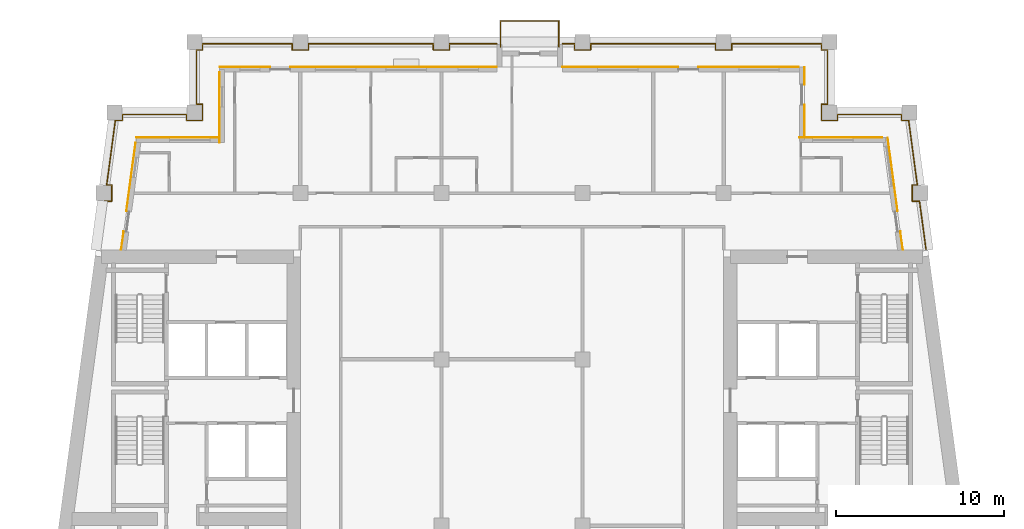
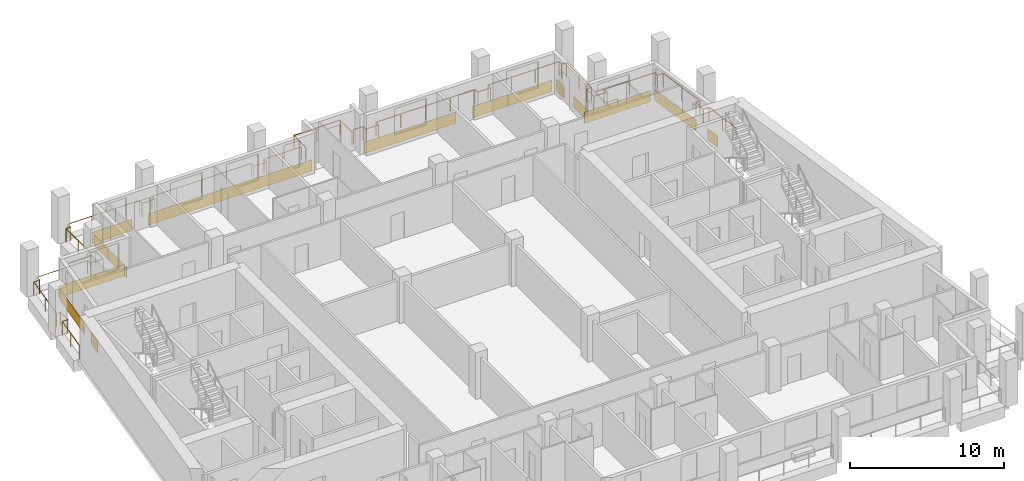
# One storey, part 12 of 13: 15 coverings, 3 railings.
"""IFC4 building model written with IfcOpenShell, lengths in metres."""

from ifc_helpers import new_model, si_unit, direction, frame, origin, origin_2d, place, context, subcontext, project, spatial, rectangle, circle, extrude, material, layer, layer_set, type_object, element, save


model = new_model("IFC4")

# Units and contexts
model_context = context("Model", 3, precision=1e-05, world=origin(), true_north=direction((0.0, 1.0)))
body_context = subcontext(model_context, "Body", "Model", "MODEL_VIEW")
ifc_project = project(units=[si_unit("LENGTHUNIT", "METRE"), si_unit("AREAUNIT", "SQUARE_METRE"), si_unit("VOLUMEUNIT", "CUBIC_METRE"), si_unit("PLANEANGLEUNIT", "RADIAN"), si_unit("MASSUNIT", "GRAM", prefix="KILO")], contexts=[model_context])

# Site, building, storey
site_placement = place(None, origin())
site = spatial("IfcSite", under=ifc_project, at=site_placement, CompositionType="ELEMENT")
building_placement = place(site_placement, origin())
building = spatial("IfcBuilding", under=site, at=building_placement, Name="Candeia Pilgrim Tower and Theatre", CompositionType="ELEMENT")
storey_placement = place(building_placement, frame((0.0, 0.0, 242.89990234375)))
storey = spatial("IfcBuildingStorey", under=building, at=storey_placement, Name="L59", CompositionType="ELEMENT", Elevation=242.89990234375)

# Railings
ifc_material_1 = material(Name="Stainless steel balustrade", Category="steel")
railing_type = type_object("IfcRailingType", Name="G1 loggia guard 1100", PredefinedType="GUARDRAIL", material=ifc_material_1)
railing_1_placement = place(storey_placement, frame((88.758544921875, 132.449951171875, 0.0)))
element("IfcRailing", 1, at=railing_1_placement, inside=storey, type_object=railing_type, Name="Guard L59.2", PredefinedType="GUARDRAIL", context=body_context, shape_type="SweptSolid", body=[
    extrude(circle(Radius=0.02392578125, at=origin_2d()), frame((0.0, 0.0, 1.076171875), z_axis=(0.133450228179, 0.991055516406, 0.0), x_axis=(-0.991055516406, 0.133450228179, 0.0)), (0.0, 0.0, 1.0), 2.89599609375),
    extrude(circle(Radius=0.02392578125, at=origin_2d()), frame((0.386474609375, 2.8701171875, 1.076171875), z_axis=(1.0, 0.0, 0.0), x_axis=(0.0, 1.0, 0.0)), (0.0, 0.0, 1.0), 0.42333984375),
    extrude(circle(Radius=0.02392578125, at=origin_2d()), frame((0.809814453125, 2.8701171875, 1.076171875), z_axis=(0.0, 1.0, 0.0), x_axis=(-1.0, 0.0, 0.0)), (0.0, 0.0, 1.0), 0.9599609375),
    extrude(circle(Radius=0.02392578125, at=origin_2d()), frame((0.809814453125, 3.830078125, 1.076171875), z_axis=(-1.0, 0.0, 0.0), x_axis=(0.0, -1.0, 0.0)), (0.0, 0.0, 1.0), 0.294189453125),
    extrude(circle(Radius=0.02392578125, at=origin_2d()), frame((0.515625, 3.830078125, 1.076171875), z_axis=(0.133389399471, 0.991063705374, 0.0), x_axis=(-0.991063705374, 0.133389399471, 0.0)), (0.0, 0.0, 1.0), 3.874755859375),
    extrude(circle(Radius=0.02392578125, at=origin_2d()), frame((1.032470703125, 7.670166015625, 1.076171875), z_axis=(1.0, 0.0, 0.0), x_axis=(0.0, 1.0, 0.0)), (0.0, 0.0, 1.0), 0.423583984375),
    extrude(circle(Radius=0.02392578125, at=origin_2d()), frame((1.4560546875, 7.670166015625, 1.076171875), z_axis=(0.0, 1.0, 0.0), x_axis=(-1.0, 0.0, 0.0)), (0.0, 0.0, 1.0), 0.35986328125),
    extrude(circle(Radius=0.02392578125, at=origin_2d()), frame((1.4560546875, 8.030029296875, 1.076171875), z_axis=(1.0, 0.0, 0.0), x_axis=(0.0, 1.0, 0.0)), (0.0, 0.0, 1.0), 3.805419921875),
    extrude(circle(Radius=0.02392578125, at=origin_2d()), frame((5.261474609375, 8.030029296875, 1.076171875), z_axis=(0.0, -1.0, 0.0), x_axis=(1.0, 0.0, 0.0)), (0.0, 0.0, 1.0), 0.35986328125),
    extrude(circle(Radius=0.02392578125, at=origin_2d()), frame((5.261474609375, 7.670166015625, 1.076171875), z_axis=(1.0, 0.0, 0.0), x_axis=(0.0, 1.0, 0.0)), (0.0, 0.0, 1.0), 0.9599609375),
    extrude(circle(Radius=0.02392578125, at=origin_2d()), frame((6.221435546875, 7.670166015625, 1.076171875), z_axis=(0.0, 1.0, 0.0), x_axis=(-1.0, 0.0, 0.0)), (0.0, 0.0, 1.0), 0.9599609375),
    extrude(circle(Radius=0.02392578125, at=origin_2d()), frame((6.221435546875, 8.630126953125, 1.076171875), z_axis=(-1.0, 0.0, 0.0), x_axis=(0.0, -1.0, 0.0)), (0.0, 0.0, 1.0), 0.35986328125),
    extrude(circle(Radius=0.02392578125, at=origin_2d()), frame((5.861572265625, 8.630126953125, 1.076171875), z_axis=(0.0, 1.0, 0.0), x_axis=(-1.0, 0.0, 0.0)), (0.0, 0.0, 1.0), 3.239990234375),
    extrude(circle(Radius=0.02392578125, at=origin_2d()), frame((5.861572265625, 11.8701171875, 1.076171875), z_axis=(1.0, 0.0, 0.0), x_axis=(0.0, 1.0, 0.0)), (0.0, 0.0, 1.0), 0.35986328125),
    extrude(circle(Radius=0.02392578125, at=origin_2d()), frame((6.221435546875, 11.8701171875, 1.076171875), z_axis=(0.0, 1.0, 0.0), x_axis=(-1.0, 0.0, 0.0)), (0.0, 0.0, 1.0), 0.35986328125),
    extrude(circle(Radius=0.02392578125, at=origin_2d()), frame((6.221435546875, 12.22998046875, 1.076171875), z_axis=(1.0, 0.0, 0.0), x_axis=(0.0, 1.0, 0.0)), (0.0, 0.0, 1.0), 5.340087890625),
    extrude(circle(Radius=0.02392578125, at=origin_2d()), frame((11.5615234375, 12.22998046875, 1.076171875), z_axis=(0.0, -1.0, 0.0), x_axis=(1.0, 0.0, 0.0)), (0.0, 0.0, 1.0), 0.35986328125),
    extrude(circle(Radius=0.02392578125, at=origin_2d()), frame((11.5615234375, 11.8701171875, 1.076171875), z_axis=(1.0, 0.0, 0.0), x_axis=(0.0, 1.0, 0.0)), (0.0, 0.0, 1.0), 0.9599609375),
    extrude(circle(Radius=0.02392578125, at=origin_2d()), frame((12.521484375, 11.8701171875, 1.076171875), z_axis=(0.0, 1.0, 0.0), x_axis=(-1.0, 0.0, 0.0)), (0.0, 0.0, 1.0), 0.35986328125),
    extrude(circle(Radius=0.02392578125, at=origin_2d()), frame((12.521484375, 12.22998046875, 1.076171875), z_axis=(1.0, 0.0, 0.0), x_axis=(0.0, 1.0, 0.0)), (0.0, 0.0, 1.0), 7.43994140625),
    extrude(circle(Radius=0.02392578125, at=origin_2d()), frame((19.96142578125, 12.22998046875, 1.076171875), z_axis=(0.0, -1.0, 0.0), x_axis=(1.0, 0.0, 0.0)), (0.0, 0.0, 1.0), 0.35986328125),
    extrude(circle(Radius=0.02392578125, at=origin_2d()), frame((19.96142578125, 11.8701171875, 1.076171875), z_axis=(1.0, 0.0, 0.0), x_axis=(0.0, 1.0, 0.0)), (0.0, 0.0, 1.0), 0.9599609375),
    extrude(circle(Radius=0.02392578125, at=origin_2d()), frame((20.92138671875, 11.8701171875, 1.076171875), z_axis=(0.0, 1.0, 0.0), x_axis=(-1.0, 0.0, 0.0)), (0.0, 0.0, 1.0), 0.35986328125),
    extrude(circle(Radius=0.02392578125, at=origin_2d()), frame((20.92138671875, 12.22998046875, 1.076171875), z_axis=(1.0, 0.0, 0.0), x_axis=(0.0, 1.0, 0.0)), (0.0, 0.0, 1.0), 2.820068359375),
    extrude(circle(Radius=0.02099609375, at=origin_2d()), origin(), (0.0, 0.0, 1.0), 1.052001953125),
    extrude(circle(Radius=0.02099609375, at=origin_2d()), frame((0.193359375, 1.43505859375, 0.0)), (0.0, 0.0, 1.0), 1.052001953125),
    extrude(circle(Radius=0.02099609375, at=origin_2d()), frame((0.386474609375, 2.8701171875, 0.0)), (0.0, 0.0, 1.0), 1.052001953125),
    extrude(circle(Radius=0.02099609375, at=origin_2d()), frame((0.809814453125, 2.8701171875, 0.0)), (0.0, 0.0, 1.0), 1.052001953125),
    extrude(circle(Radius=0.02099609375, at=origin_2d()), frame((0.809814453125, 3.830078125, 0.0)), (0.0, 0.0, 1.0), 1.052001953125),
    extrude(circle(Radius=0.02099609375, at=origin_2d()), frame((0.515625, 3.830078125, 0.0)), (0.0, 0.0, 1.0), 1.052001953125),
    extrude(circle(Radius=0.02099609375, at=origin_2d()), frame((0.77392578125, 5.75, 0.0)), (0.0, 0.0, 1.0), 1.052001953125),
    extrude(circle(Radius=0.02099609375, at=origin_2d()), frame((1.032470703125, 7.670166015625, 0.0)), (0.0, 0.0, 1.0), 1.052001953125),
    extrude(circle(Radius=0.02099609375, at=origin_2d()), frame((1.4560546875, 7.670166015625, 0.0)), (0.0, 0.0, 1.0), 1.052001953125),
    extrude(circle(Radius=0.02099609375, at=origin_2d()), frame((1.4560546875, 8.030029296875, 0.0)), (0.0, 0.0, 1.0), 1.052001953125),
    extrude(circle(Radius=0.02099609375, at=origin_2d()), frame((3.35888671875, 8.030029296875, 0.0)), (0.0, 0.0, 1.0), 1.052001953125),
    extrude(circle(Radius=0.02099609375, at=origin_2d()), frame((5.261474609375, 8.030029296875, 0.0)), (0.0, 0.0, 1.0), 1.052001953125),
    extrude(circle(Radius=0.02099609375, at=origin_2d()), frame((5.261474609375, 7.670166015625, 0.0)), (0.0, 0.0, 1.0), 1.052001953125),
    extrude(circle(Radius=0.02099609375, at=origin_2d()), frame((6.221435546875, 7.670166015625, 0.0)), (0.0, 0.0, 1.0), 1.052001953125),
    extrude(circle(Radius=0.02099609375, at=origin_2d()), frame((6.221435546875, 8.630126953125, 0.0)), (0.0, 0.0, 1.0), 1.052001953125),
    extrude(circle(Radius=0.02099609375, at=origin_2d()), frame((5.861572265625, 8.630126953125, 0.0)), (0.0, 0.0, 1.0), 1.052001953125),
    extrude(circle(Radius=0.02099609375, at=origin_2d()), frame((5.861572265625, 10.25, 0.0)), (0.0, 0.0, 1.0), 1.052001953125),
    extrude(circle(Radius=0.02099609375, at=origin_2d()), frame((5.861572265625, 11.8701171875, 0.0)), (0.0, 0.0, 1.0), 1.052001953125),
    extrude(circle(Radius=0.02099609375, at=origin_2d()), frame((6.221435546875, 11.8701171875, 0.0)), (0.0, 0.0, 1.0), 1.052001953125),
    extrude(circle(Radius=0.02099609375, at=origin_2d()), frame((6.221435546875, 12.22998046875, 0.0)), (0.0, 0.0, 1.0), 1.052001953125),
    extrude(circle(Radius=0.02099609375, at=origin_2d()), frame((8.00146484375, 12.22998046875, 0.0)), (0.0, 0.0, 1.0), 1.052001953125),
    extrude(circle(Radius=0.02099609375, at=origin_2d()), frame((9.781494140625, 12.22998046875, 0.0)), (0.0, 0.0, 1.0), 1.052001953125),
    extrude(circle(Radius=0.02099609375, at=origin_2d()), frame((11.5615234375, 12.22998046875, 0.0)), (0.0, 0.0, 1.0), 1.052001953125),
    extrude(circle(Radius=0.02099609375, at=origin_2d()), frame((11.5615234375, 11.8701171875, 0.0)), (0.0, 0.0, 1.0), 1.052001953125),
    extrude(circle(Radius=0.02099609375, at=origin_2d()), frame((12.521484375, 11.8701171875, 0.0)), (0.0, 0.0, 1.0), 1.052001953125),
    extrude(circle(Radius=0.02099609375, at=origin_2d()), frame((12.521484375, 12.22998046875, 0.0)), (0.0, 0.0, 1.0), 1.052001953125),
    extrude(circle(Radius=0.02099609375, at=origin_2d()), frame((14.38134765625, 12.22998046875, 0.0)), (0.0, 0.0, 1.0), 1.052001953125),
    extrude(circle(Radius=0.02099609375, at=origin_2d()), frame((16.241455078125, 12.22998046875, 0.0)), (0.0, 0.0, 1.0), 1.052001953125),
    extrude(circle(Radius=0.02099609375, at=origin_2d()), frame((18.1015625, 12.22998046875, 0.0)), (0.0, 0.0, 1.0), 1.052001953125),
    extrude(circle(Radius=0.02099609375, at=origin_2d()), frame((19.96142578125, 12.22998046875, 0.0)), (0.0, 0.0, 1.0), 1.052001953125),
    extrude(circle(Radius=0.02099609375, at=origin_2d()), frame((19.96142578125, 11.8701171875, 0.0)), (0.0, 0.0, 1.0), 1.052001953125),
    extrude(circle(Radius=0.02099609375, at=origin_2d()), frame((20.92138671875, 11.8701171875, 0.0)), (0.0, 0.0, 1.0), 1.052001953125),
    extrude(circle(Radius=0.02099609375, at=origin_2d()), frame((20.92138671875, 12.22998046875, 0.0)), (0.0, 0.0, 1.0), 1.052001953125),
    extrude(circle(Radius=0.02099609375, at=origin_2d()), frame((22.33154296875, 12.22998046875, 0.0)), (0.0, 0.0, 1.0), 1.052001953125),
    extrude(circle(Radius=0.02099609375, at=origin_2d()), frame((23.741455078125, 12.22998046875, 0.0)), (0.0, 0.0, 1.0), 1.052001953125),
])
railing_2_placement = place(storey_placement, frame((116.39990234375, 144.679931640625, 0.0)))
element("IfcRailing", 2, at=railing_2_placement, inside=storey, type_object=railing_type, Name="Guard L59.3", PredefinedType="GUARDRAIL", context=body_context, shape_type="SweptSolid", body=[
    extrude(circle(Radius=0.02392578125, at=origin_2d()), frame((0.0, 0.0, 1.076171875), z_axis=(1.0, 0.0, 0.0), x_axis=(0.0, 1.0, 0.0)), (0.0, 0.0, 1.0), 0.72021484375),
    extrude(circle(Radius=0.02392578125, at=origin_2d()), frame((0.72021484375, 0.0, 1.076171875), z_axis=(0.0, -1.0, 0.0), x_axis=(1.0, 0.0, 0.0)), (0.0, 0.0, 1.0), 0.35986328125),
    extrude(circle(Radius=0.02392578125, at=origin_2d()), frame((0.72021484375, -0.35986328125, 1.076171875), z_axis=(1.0, 0.0, 0.0), x_axis=(0.0, 1.0, 0.0)), (0.0, 0.0, 1.0), 0.9599609375),
    extrude(circle(Radius=0.02392578125, at=origin_2d()), frame((1.68017578125, -0.35986328125, 1.076171875), z_axis=(0.0, 1.0, 0.0), x_axis=(-1.0, 0.0, 0.0)), (0.0, 0.0, 1.0), 0.35986328125),
    extrude(circle(Radius=0.02392578125, at=origin_2d()), frame((1.68017578125, 0.0, 1.076171875), z_axis=(1.0, 0.0, 0.0), x_axis=(0.0, 1.0, 0.0)), (0.0, 0.0, 1.0), 7.43994140625),
    extrude(circle(Radius=0.02392578125, at=origin_2d()), frame((9.1201171875, 0.0, 1.076171875), z_axis=(0.0, -1.0, 0.0), x_axis=(1.0, 0.0, 0.0)), (0.0, 0.0, 1.0), 0.35986328125),
    extrude(circle(Radius=0.02392578125, at=origin_2d()), frame((9.1201171875, -0.35986328125, 1.076171875), z_axis=(1.0, 0.0, 0.0), x_axis=(0.0, 1.0, 0.0)), (0.0, 0.0, 1.0), 0.9599609375),
    extrude(circle(Radius=0.02392578125, at=origin_2d()), frame((10.080078125, -0.35986328125, 1.076171875), z_axis=(0.0, 1.0, 0.0), x_axis=(-1.0, 0.0, 0.0)), (0.0, 0.0, 1.0), 0.35986328125),
    extrude(circle(Radius=0.02392578125, at=origin_2d()), frame((10.080078125, 0.0, 1.076171875), z_axis=(1.0, 0.0, 0.0), x_axis=(0.0, 1.0, 0.0)), (0.0, 0.0, 1.0), 5.340087890625),
    extrude(circle(Radius=0.02392578125, at=origin_2d()), frame((15.420166015625, 0.0, 1.076171875), z_axis=(0.0, -1.0, 0.0), x_axis=(1.0, 0.0, 0.0)), (0.0, 0.0, 1.0), 0.35986328125),
    extrude(circle(Radius=0.02392578125, at=origin_2d()), frame((15.420166015625, -0.35986328125, 1.076171875), z_axis=(1.0, 0.0, 0.0), x_axis=(0.0, 1.0, 0.0)), (0.0, 0.0, 1.0), 0.35986328125),
    extrude(circle(Radius=0.02392578125, at=origin_2d()), frame((15.780029296875, -0.35986328125, 1.076171875), z_axis=(0.0, -1.0, 0.0), x_axis=(1.0, 0.0, 0.0)), (0.0, 0.0, 1.0), 3.239990234375),
    extrude(circle(Radius=0.02392578125, at=origin_2d()), frame((15.780029296875, -3.599853515625, 1.076171875), z_axis=(-1.0, 0.0, 0.0), x_axis=(0.0, -1.0, 0.0)), (0.0, 0.0, 1.0), 0.35986328125),
    extrude(circle(Radius=0.02392578125, at=origin_2d()), frame((15.420166015625, -3.599853515625, 1.076171875), z_axis=(0.0, -1.0, 0.0), x_axis=(1.0, 0.0, 0.0)), (0.0, 0.0, 1.0), 0.9599609375),
    extrude(circle(Radius=0.02392578125, at=origin_2d()), frame((15.420166015625, -4.559814453125, 1.076171875), z_axis=(1.0, 0.0, 0.0), x_axis=(0.0, 1.0, 0.0)), (0.0, 0.0, 1.0), 0.9599609375),
    extrude(circle(Radius=0.02392578125, at=origin_2d()), frame((16.380126953125, -4.559814453125, 1.076171875), z_axis=(0.0, 1.0, 0.0), x_axis=(-1.0, 0.0, 0.0)), (0.0, 0.0, 1.0), 0.35986328125),
    extrude(circle(Radius=0.02392578125, at=origin_2d()), frame((16.380126953125, -4.199951171875, 1.076171875), z_axis=(1.0, 0.0, 0.0), x_axis=(0.0, 1.0, 0.0)), (0.0, 0.0, 1.0), 3.805419921875),
    extrude(circle(Radius=0.02392578125, at=origin_2d()), frame((20.185546875, -4.199951171875, 1.076171875), z_axis=(0.0, -1.0, 0.0), x_axis=(1.0, 0.0, 0.0)), (0.0, 0.0, 1.0), 0.35986328125),
    extrude(circle(Radius=0.02392578125, at=origin_2d()), frame((20.185546875, -4.559814453125, 1.076171875), z_axis=(1.0, 0.0, 0.0), x_axis=(0.0, 1.0, 0.0)), (0.0, 0.0, 1.0), 0.423583984375),
    extrude(circle(Radius=0.02392578125, at=origin_2d()), frame((20.609130859375, -4.559814453125, 1.076171875), z_axis=(0.133389399471, -0.991063705374, 0.0), x_axis=(0.991063705374, 0.133389399471, 0.0)), (0.0, 0.0, 1.0), 3.874755859375),
    extrude(circle(Radius=0.02392578125, at=origin_2d()), frame((21.1259765625, -8.39990234375, 1.076171875), z_axis=(-1.0, 0.0, 0.0), x_axis=(0.0, -1.0, 0.0)), (0.0, 0.0, 1.0), 0.29443359375),
    extrude(circle(Radius=0.02392578125, at=origin_2d()), frame((20.83154296875, -8.39990234375, 1.076171875), z_axis=(0.0, -1.0, 0.0), x_axis=(1.0, 0.0, 0.0)), (0.0, 0.0, 1.0), 0.9599609375),
    extrude(circle(Radius=0.02392578125, at=origin_2d()), frame((20.83154296875, -9.35986328125, 1.076171875), z_axis=(1.0, 0.0, 0.0), x_axis=(0.0, 1.0, 0.0)), (0.0, 0.0, 1.0), 0.423583984375),
    extrude(circle(Radius=0.02392578125, at=origin_2d()), frame((21.255126953125, -9.35986328125, 1.076171875), z_axis=(0.133450228179, -0.991055516406, 0.0), x_axis=(0.991055516406, 0.133450228179, 0.0)), (0.0, 0.0, 1.0), 2.89599609375),
    extrude(circle(Radius=0.02099609375, at=origin_2d()), origin(), (0.0, 0.0, 1.0), 1.052001953125),
    extrude(circle(Radius=0.02099609375, at=origin_2d()), frame((0.72021484375, 0.0, 0.0)), (0.0, 0.0, 1.0), 1.052001953125),
    extrude(circle(Radius=0.02099609375, at=origin_2d()), frame((0.72021484375, -0.35986328125, 0.0)), (0.0, 0.0, 1.0), 1.052001953125),
    extrude(circle(Radius=0.02099609375, at=origin_2d()), frame((1.68017578125, -0.35986328125, 0.0)), (0.0, 0.0, 1.0), 1.052001953125),
    extrude(circle(Radius=0.02099609375, at=origin_2d()), frame((1.68017578125, 0.0, 0.0)), (0.0, 0.0, 1.0), 1.052001953125),
    extrude(circle(Radius=0.02099609375, at=origin_2d()), frame((3.5400390625, 0.0, 0.0)), (0.0, 0.0, 1.0), 1.052001953125),
    extrude(circle(Radius=0.02099609375, at=origin_2d()), frame((5.400146484375, 0.0, 0.0)), (0.0, 0.0, 1.0), 1.052001953125),
    extrude(circle(Radius=0.02099609375, at=origin_2d()), frame((7.26025390625, 0.0, 0.0)), (0.0, 0.0, 1.0), 1.052001953125),
    extrude(circle(Radius=0.02099609375, at=origin_2d()), frame((9.1201171875, 0.0, 0.0)), (0.0, 0.0, 1.0), 1.052001953125),
    extrude(circle(Radius=0.02099609375, at=origin_2d()), frame((9.1201171875, -0.35986328125, 0.0)), (0.0, 0.0, 1.0), 1.052001953125),
    extrude(circle(Radius=0.02099609375, at=origin_2d()), frame((10.080078125, -0.35986328125, 0.0)), (0.0, 0.0, 1.0), 1.052001953125),
    extrude(circle(Radius=0.02099609375, at=origin_2d()), frame((10.080078125, 0.0, 0.0)), (0.0, 0.0, 1.0), 1.052001953125),
    extrude(circle(Radius=0.02099609375, at=origin_2d()), frame((11.860107421875, 0.0, 0.0)), (0.0, 0.0, 1.0), 1.052001953125),
    extrude(circle(Radius=0.02099609375, at=origin_2d()), frame((13.64013671875, 0.0, 0.0)), (0.0, 0.0, 1.0), 1.052001953125),
    extrude(circle(Radius=0.02099609375, at=origin_2d()), frame((15.420166015625, 0.0, 0.0)), (0.0, 0.0, 1.0), 1.052001953125),
    extrude(circle(Radius=0.02099609375, at=origin_2d()), frame((15.420166015625, -0.35986328125, 0.0)), (0.0, 0.0, 1.0), 1.052001953125),
    extrude(circle(Radius=0.02099609375, at=origin_2d()), frame((15.780029296875, -0.35986328125, 0.0)), (0.0, 0.0, 1.0), 1.052001953125),
    extrude(circle(Radius=0.02099609375, at=origin_2d()), frame((15.780029296875, -1.97998046875, 0.0)), (0.0, 0.0, 1.0), 1.052001953125),
    extrude(circle(Radius=0.02099609375, at=origin_2d()), frame((15.780029296875, -3.599853515625, 0.0)), (0.0, 0.0, 1.0), 1.052001953125),
    extrude(circle(Radius=0.02099609375, at=origin_2d()), frame((15.420166015625, -3.599853515625, 0.0)), (0.0, 0.0, 1.0), 1.052001953125),
    extrude(circle(Radius=0.02099609375, at=origin_2d()), frame((15.420166015625, -4.559814453125, 0.0)), (0.0, 0.0, 1.0), 1.052001953125),
    extrude(circle(Radius=0.02099609375, at=origin_2d()), frame((16.380126953125, -4.559814453125, 0.0)), (0.0, 0.0, 1.0), 1.052001953125),
    extrude(circle(Radius=0.02099609375, at=origin_2d()), frame((16.380126953125, -4.199951171875, 0.0)), (0.0, 0.0, 1.0), 1.052001953125),
    extrude(circle(Radius=0.02099609375, at=origin_2d()), frame((18.28271484375, -4.199951171875, 0.0)), (0.0, 0.0, 1.0), 1.052001953125),
    extrude(circle(Radius=0.02099609375, at=origin_2d()), frame((20.185546875, -4.199951171875, 0.0)), (0.0, 0.0, 1.0), 1.052001953125),
    extrude(circle(Radius=0.02099609375, at=origin_2d()), frame((20.185546875, -4.559814453125, 0.0)), (0.0, 0.0, 1.0), 1.052001953125),
    extrude(circle(Radius=0.02099609375, at=origin_2d()), frame((20.609130859375, -4.559814453125, 0.0)), (0.0, 0.0, 1.0), 1.052001953125),
    extrude(circle(Radius=0.02099609375, at=origin_2d()), frame((20.86767578125, -6.47998046875, 0.0)), (0.0, 0.0, 1.0), 1.052001953125),
    extrude(circle(Radius=0.02099609375, at=origin_2d()), frame((21.1259765625, -8.39990234375, 0.0)), (0.0, 0.0, 1.0), 1.052001953125),
    extrude(circle(Radius=0.02099609375, at=origin_2d()), frame((20.83154296875, -8.39990234375, 0.0)), (0.0, 0.0, 1.0), 1.052001953125),
    extrude(circle(Radius=0.02099609375, at=origin_2d()), frame((20.83154296875, -9.35986328125, 0.0)), (0.0, 0.0, 1.0), 1.052001953125),
    extrude(circle(Radius=0.02099609375, at=origin_2d()), frame((21.255126953125, -9.35986328125, 0.0)), (0.0, 0.0, 1.0), 1.052001953125),
    extrude(circle(Radius=0.02099609375, at=origin_2d()), frame((21.4482421875, -10.794921875, 0.0)), (0.0, 0.0, 1.0), 1.052001953125),
    extrude(circle(Radius=0.02099609375, at=origin_2d()), frame((21.6416015625, -12.22998046875, 0.0)), (0.0, 0.0, 1.0), 1.052001953125),
])
railing_3_placement = place(storey_placement, frame((112.7099609375, 144.5, 0.0)))
element("IfcRailing", 3, at=railing_3_placement, inside=storey, type_object=railing_type, Name="Balcony guard L59", PredefinedType="GUARDRAIL", context=body_context, shape_type="SweptSolid", body=[
    extrude(circle(Radius=0.02392578125, at=origin_2d()), frame((0.0, 0.0, 1.076171875), z_axis=(0.0, 1.0, 0.0), x_axis=(-1.0, 0.0, 0.0)), (0.0, 0.0, 1.0), 1.5400390625),
    extrude(circle(Radius=0.02392578125, at=origin_2d()), frame((0.0, 1.5400390625, 1.076171875), z_axis=(1.0, 0.0, 0.0), x_axis=(0.0, 1.0, 0.0)), (0.0, 0.0, 1.0), 3.47998046875),
    extrude(circle(Radius=0.02392578125, at=origin_2d()), frame((3.47998046875, 1.5400390625, 1.076171875), z_axis=(0.0, -1.0, 0.0), x_axis=(1.0, 0.0, 0.0)), (0.0, 0.0, 1.0), 1.5400390625),
    extrude(circle(Radius=0.02099609375, at=origin_2d()), origin(), (0.0, 0.0, 1.0), 1.052001953125),
    extrude(circle(Radius=0.02099609375, at=origin_2d()), frame((0.0, 1.5400390625, 0.0)), (0.0, 0.0, 1.0), 1.052001953125),
    extrude(circle(Radius=0.02099609375, at=origin_2d()), frame((1.739990234375, 1.5400390625, 0.0)), (0.0, 0.0, 1.0), 1.052001953125),
    extrude(circle(Radius=0.02099609375, at=origin_2d()), frame((3.47998046875, 1.5400390625, 0.0)), (0.0, 0.0, 1.0), 1.052001953125),
    extrude(circle(Radius=0.02099609375, at=origin_2d()), frame((3.47998046875, 0.0, 0.0)), (0.0, 0.0, 1.0), 1.052001953125),
])

# Coverings
ifc_material_2 = material(Name="Glazed ceramic tile bottle green")
ifc_layer_1 = layer(ifc_material_2, 0.02001953125)
ifc_layer_set_1 = layer_set([ifc_layer_1], Name="Glazed ceramic tile bottle green")
covering_type_1 = type_object("IfcCoveringType", Name="Glazed ceramic tile bottle green", PredefinedType="CLADDING", material=ifc_layer_set_1)
covering_1_placement = place(storey_placement, frame((136.588623046875, 132.97412109375, 0.000244140625), z_axis=(0.0, 0.0, 1.0), x_axis=(-0.133412012145, 0.991060661622, 0.0)))
element("IfcCovering", 4, at=covering_1_placement, inside=storey, type_object=covering_type_1, Name="Tile cladding bottle green L59", PredefinedType="CLADDING", context=body_context, shape_type="SweptSolid", body=[
    extrude(rectangle(XDim=1.115234375, YDim=0.02001953125, at=origin_2d()), origin(), (0.0, 0.0, 1.0), 0.89990234375),
])
covering_2_placement = place(storey_placement, frame((136.058837890625, 136.90869140625, 0.000244140625), z_axis=(0.0, 0.0, 1.0), x_axis=(-0.133412012145, 0.991060661622, 0.0)))
element("IfcCovering", 5, at=covering_2_placement, inside=storey, type_object=covering_type_1, Name="Tile cladding bottle green L59", PredefinedType="CLADDING", context=body_context, shape_type="SweptSolid", body=[
    extrude(rectangle(XDim=4.4248046875, YDim=0.02001953125, at=origin_2d()), origin(), (0.0, 0.0, 1.0), 0.89990234375),
])
covering_3_placement = place(storey_placement, frame((130.81005859375, 140.0849609375, 0.000244140625), z_axis=(0.0, 0.0, 1.0), x_axis=(0.0, 1.0, 0.0)))
element("IfcCovering", 6, at=covering_3_placement, inside=storey, type_object=covering_type_1, Name="Tile cladding bottle green L59", PredefinedType="CLADDING", context=body_context, shape_type="SweptSolid", body=[
    extrude(rectangle(XDim=1.929931640625, YDim=0.02001953125, at=origin_2d()), origin(), (0.0, 0.0, 1.0), 0.89990234375),
])
covering_4_placement = place(storey_placement, frame((125.85009765625, 143.31005859375, 0.000244140625), z_axis=(0.0, 0.0, 1.0), x_axis=(-1.0, 0.0, 0.0)))
element("IfcCovering", 7, at=covering_4_placement, inside=storey, type_object=covering_type_1, Name="Tile cladding bottle green L59", PredefinedType="CLADDING", context=body_context, shape_type="SweptSolid", body=[
    extrude(rectangle(XDim=2.699951171875, YDim=0.02001953125, at=origin_2d()), origin(), (0.0, 0.0, 1.0), 0.89990234375),
])
covering_5_placement = place(storey_placement, frame((119.85009765625, 143.31005859375, 0.000244140625), z_axis=(0.0, 0.0, 1.0), x_axis=(-1.0, 0.0, 0.0)))
element("IfcCovering", 8, at=covering_5_placement, inside=storey, type_object=covering_type_1, Name="Tile cladding bottle green L59", PredefinedType="CLADDING", context=body_context, shape_type="SweptSolid", body=[
    extrude(rectangle(XDim=6.89990234375, YDim=0.02001953125, at=origin_2d()), origin(), (0.0, 0.0, 1.0), 0.89990234375),
])
covering_6_placement = place(storey_placement, frame((106.35009765625, 143.31005859375, 0.000244140625), z_axis=(0.0, 0.0, 1.0), x_axis=(-1.0, 0.0, 0.0)))
element("IfcCovering", 9, at=covering_6_placement, inside=storey, type_object=covering_type_1, Name="Tile cladding bottle green L59", PredefinedType="CLADDING", context=body_context, shape_type="SweptSolid", body=[
    extrude(rectangle(XDim=12.300048828125, YDim=0.02001953125, at=origin_2d()), origin(), (0.0, 0.0, 1.0), 0.89990234375),
])
covering_7_placement = place(storey_placement, frame((97.5, 143.31005859375, 0.000244140625), z_axis=(0.0, 0.0, 1.0), x_axis=(-1.0, 0.0, 0.0)))
element("IfcCovering", 10, at=covering_7_placement, inside=storey, type_object=covering_type_1, Name="Tile cladding bottle green L59", PredefinedType="CLADDING", context=body_context, shape_type="SweptSolid", body=[
    extrude(rectangle(XDim=3.0, YDim=0.02001953125, at=origin_2d()), origin(), (0.0, 0.0, 1.0), 0.89990234375),
])
covering_8_placement = place(storey_placement, frame((95.989990234375, 140.0, 0.000244140625), z_axis=(0.0, 0.0, 1.0), x_axis=(0.0, -1.0, 0.0)))
element("IfcCovering", 11, at=covering_8_placement, inside=storey, type_object=covering_type_1, Name="Tile cladding bottle green L59", PredefinedType="CLADDING", context=body_context, shape_type="SweptSolid", body=[
    extrude(rectangle(XDim=2.39990234375, YDim=0.02001953125, at=origin_2d()), origin(), (0.0, 0.0, 1.0), 0.89990234375),
])
covering_9_placement = place(storey_placement, frame((93.51318359375, 139.110107421875, 0.000244140625), z_axis=(0.0, 0.0, 1.0), x_axis=(-1.0, 0.0, 0.0)))
element("IfcCovering", 12, at=covering_9_placement, inside=storey, type_object=covering_type_1, Name="Tile cladding bottle green L59", PredefinedType="CLADDING", context=body_context, shape_type="SweptSolid", body=[
    extrude(rectangle(XDim=4.933837890625, YDim=0.02001953125, at=origin_2d()), origin(), (0.0, 0.0, 1.0), 0.89990234375),
])
covering_10_placement = place(storey_placement, frame((90.720947265625, 136.759521484375, 0.000244140625), z_axis=(0.0, 0.0, 1.0), x_axis=(-0.133412012145, -0.991060661622, 0.0)))
element("IfcCovering", 13, at=covering_10_placement, inside=storey, type_object=covering_type_1, Name="Tile cladding bottle green L59", PredefinedType="CLADDING", context=body_context, shape_type="SweptSolid", body=[
    extrude(rectangle(XDim=4.123779296875, YDim=0.02001953125, at=origin_2d()), origin(), (0.0, 0.0, 1.0), 0.89990234375),
])
covering_11_placement = place(storey_placement, frame((90.21142578125, 132.97412109375, 0.000244140625), z_axis=(0.0, 0.0, 1.0), x_axis=(-0.133412012145, -0.991060661622, 0.0)))
element("IfcCovering", 14, at=covering_11_placement, inside=storey, type_object=covering_type_1, Name="Tile cladding bottle green L59", PredefinedType="CLADDING", context=body_context, shape_type="SweptSolid", body=[
    extrude(rectangle(XDim=1.115234375, YDim=0.02001953125, at=origin_2d()), origin(), (0.0, 0.0, 1.0), 0.89990234375),
])
ifc_material_3 = material(Name="Glazed ceramic tile rust")
ifc_layer_2 = layer(ifc_material_3, 0.02001953125)
ifc_layer_set_2 = layer_set([ifc_layer_2], Name="Glazed ceramic tile rust")
covering_type_2 = type_object("IfcCoveringType", Name="Glazed ceramic tile rust", PredefinedType="CLADDING", material=ifc_layer_set_2)
covering_12_placement = place(storey_placement, frame((132.976318359375, 139.110107421875, 0.000244140625), z_axis=(0.0, 0.0, 1.0), x_axis=(-1.0, 0.0, 0.0)))
element("IfcCovering", 15, at=covering_12_placement, inside=storey, type_object=covering_type_2, Name="Tile cladding rust L59", PredefinedType="CLADDING", context=body_context, shape_type="SweptSolid", body=[
    extrude(rectangle(XDim=4.95263671875, YDim=0.02001953125, at=origin_2d()), origin(), (0.0, 0.0, 1.0), 0.89990234375),
])
covering_13_placement = place(storey_placement, frame((130.81005859375, 142.77490234375, 0.000244140625), z_axis=(0.0, 0.0, 1.0), x_axis=(0.0, 1.0, 0.0)))
element("IfcCovering", 16, at=covering_13_placement, inside=storey, type_object=covering_type_2, Name="Tile cladding rust L59", PredefinedType="CLADDING", context=body_context, shape_type="SweptSolid", body=[
    extrude(rectangle(XDim=1.050048828125, YDim=0.02001953125, at=origin_2d()), origin(), (0.0, 0.0, 1.0), 0.89990234375),
])
covering_14_placement = place(storey_placement, frame((128.840087890625, 143.31005859375, 0.000244140625), z_axis=(0.0, 0.0, 1.0), x_axis=(-1.0, 0.0, 0.0)))
element("IfcCovering", 17, at=covering_14_placement, inside=storey, type_object=covering_type_2, Name="Tile cladding rust L59", PredefinedType="CLADDING", context=body_context, shape_type="SweptSolid", body=[
    extrude(rectangle(XDim=3.280029296875, YDim=0.02001953125, at=origin_2d()), origin(), (0.0, 0.0, 1.0), 0.89990234375),
])
covering_15_placement = place(storey_placement, frame((95.989990234375, 142.090087890625, 0.000244140625), z_axis=(0.0, 0.0, 1.0), x_axis=(0.0, -1.0, 0.0)))
element("IfcCovering", 18, at=covering_15_placement, inside=storey, type_object=covering_type_2, Name="Tile cladding rust L59", PredefinedType="CLADDING", context=body_context, shape_type="SweptSolid", body=[
    extrude(rectangle(XDim=1.780029296875, YDim=0.02001953125, at=origin_2d()), origin(), (0.0, 0.0, 1.0), 0.89990234375),
])

save(model, "model.ifc")
